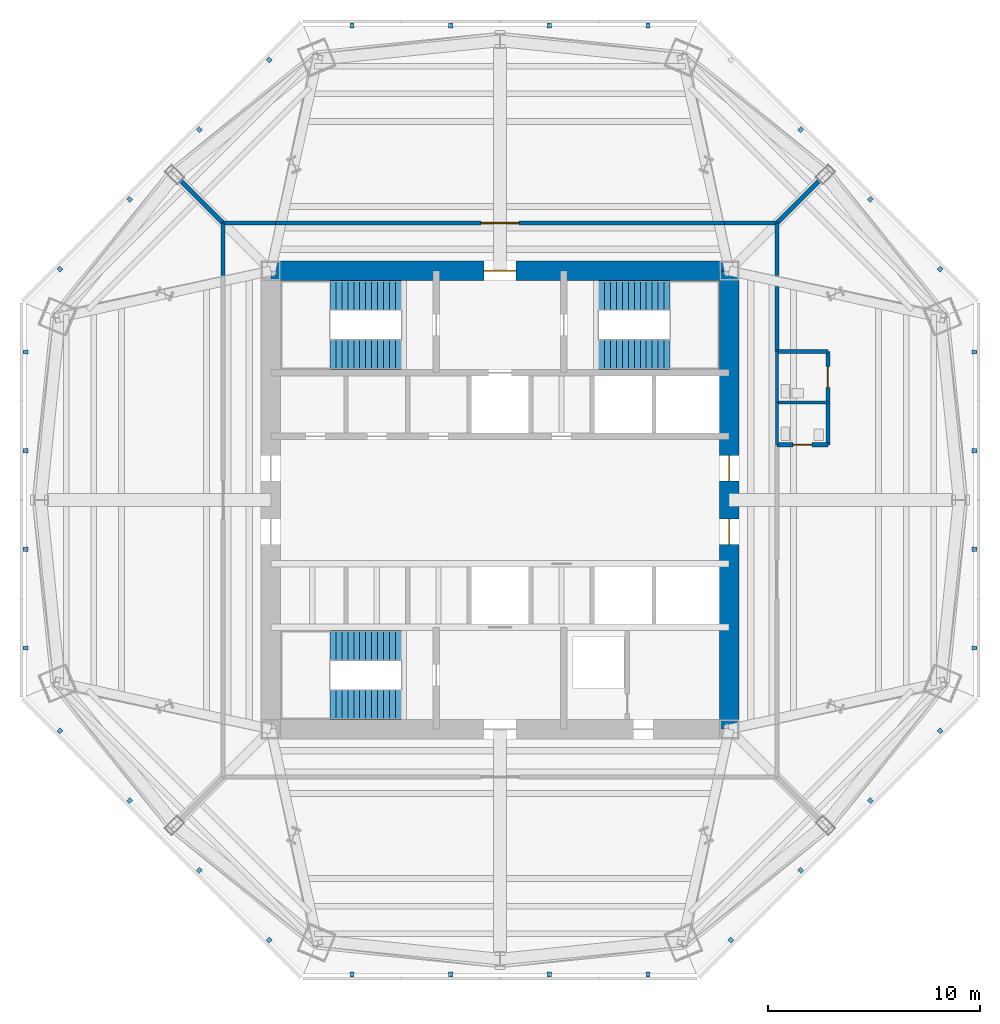
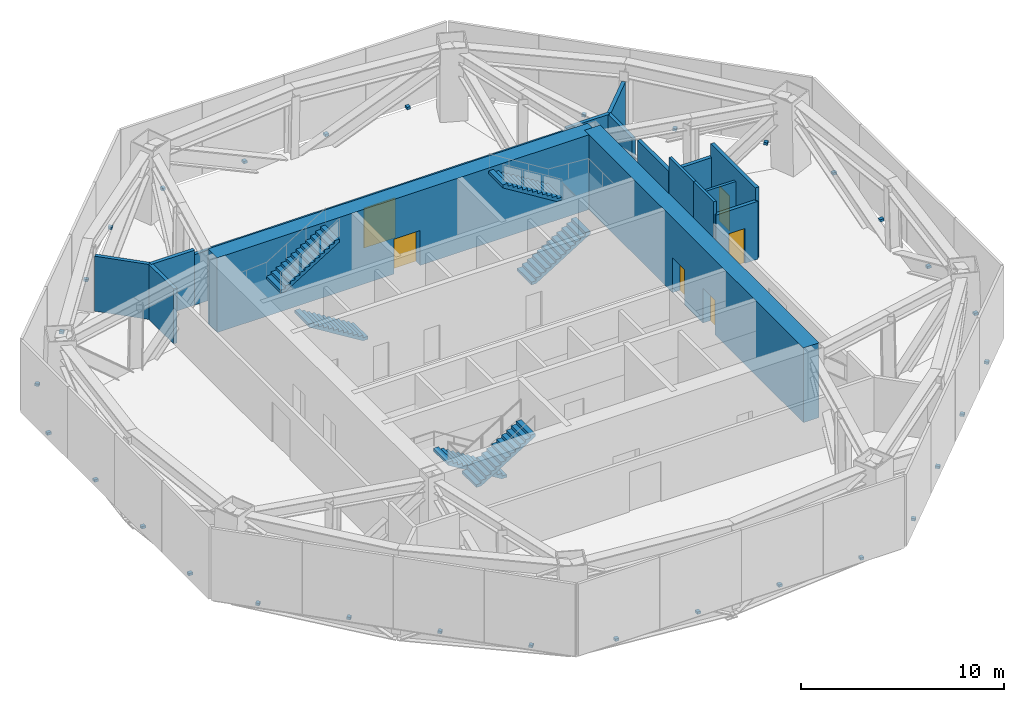
# One storey, part 6 of 10: 31 discrete accessories, 16 walls, 6 doors, 6 stair flights, 6 openings, 3 elements without a shape of their own.
"""IFC4 building model written with IfcOpenShell, lengths in metres."""

from ifc_helpers import new_model, si_unit, direction, frame, frame_2d, origin, origin_2d, place, context, subcontext, project, spatial, polyline, rectangle, outline, extrude, source, transform, mapped, material, layer, layer_set, type_object, type_shapes, element, fill, aggregate, save


model = new_model("IFC4")

# Units and contexts
model_context = context("Model", 3, precision=1e-05, world=origin(), true_north=direction((0.0, 1.0)))
body_context = subcontext(model_context, "Body", "Model", "MODEL_VIEW")
ifc_project = project(units=[si_unit("LENGTHUNIT", "METRE"), si_unit("AREAUNIT", "SQUARE_METRE"), si_unit("VOLUMEUNIT", "CUBIC_METRE"), si_unit("PLANEANGLEUNIT", "RADIAN"), si_unit("MASSUNIT", "GRAM", prefix="KILO")], contexts=[model_context])

# Site, building, storey
site_placement = place(None, origin())
site = spatial("IfcSite", under=ifc_project, at=site_placement, CompositionType="ELEMENT")
building_placement = place(site_placement, origin())
building = spatial("IfcBuilding", under=site, at=building_placement, Name="Mashrafa Tower", CompositionType="ELEMENT")
storey_placement = place(building_placement, frame((0.0, 0.0, 193.5)))
storey = spatial("IfcBuildingStorey", under=building, at=storey_placement, Name="L44", CompositionType="ELEMENT", Elevation=193.5)

# Walls
ifc_material_1 = material(Name="Concrete masonry unit", Category="masonry")
ifc_layer_1 = layer(ifc_material_1, 0.199951171875)
ifc_layer_set_1 = layer_set([ifc_layer_1], Name="Blockwork wall 200 2 hr")
wall_type_1 = type_object("IfcWallType", Name="Blockwork wall 200 2 hr", PredefinedType="PARTITIONING", material=ifc_layer_set_1)
wall_1_placement = place(storey_placement, frame((13.050048828125, 6.9990234375, 0.0), z_axis=(0.0, 0.0, 1.0), x_axis=(0.0, 1.0, 0.0)))
element("IfcWall", 1, at=wall_1_placement, inside=storey, type_object=wall_type_1, Name="Blockwork wall L44-005", PredefinedType="PARTITIONING", context=body_context, shape_type="SweptSolid", body=[
    extrude(rectangle(XDim=3.060302734375, YDim=0.199951171875, at=frame_2d((1.5302734375, 0.0))), origin(), (0.0, 0.0, 1.0), 3.43994140625),
])
wall_2_placement = place(storey_placement, frame((13.050048828125, 10.580810546875, 0.0), z_axis=(0.0, 0.0, 1.0), x_axis=(0.0, 1.0, 0.0)))
element("IfcWall", 2, at=wall_2_placement, inside=storey, type_object=wall_type_1, Name="Blockwork wall L44-006", PredefinedType="PARTITIONING", context=body_context, shape_type="SweptSolid", body=[
    extrude(rectangle(XDim=2.46923828125, YDim=0.199951171875, at=frame_2d((1.234619140625, 0.0))), origin(), (0.0, 0.0, 1.0), 3.22900390625),
])
wall_3_placement = place(storey_placement, frame((-13.050048828125, 13.050048828125, 0.0), z_axis=(0.0, 0.0, 1.0), x_axis=(0.0, -1.0, 0.0)))
element("IfcWall", 3, at=wall_3_placement, inside=storey, type_object=wall_type_1, Name="Blockwork wall L44-007", PredefinedType="PARTITIONING", context=body_context, shape_type="SweptSolid", body=[
    extrude(rectangle(XDim=2.46923828125, YDim=0.199951171875, at=frame_2d((1.234619140625, 0.0))), origin(), (0.0, 0.0, 1.0), 3.31298828125),
])
wall_4_placement = place(storey_placement, frame((13.050048828125, 13.050048828125, 0.0), z_axis=(0.0, 0.0, 1.0), x_axis=(-1.0, 0.0, 0.0)))
element("IfcWall", 4, at=wall_4_placement, inside=storey, type_object=wall_type_1, Name="Blockwork wall L44-010", PredefinedType="PARTITIONING", context=body_context, shape_type="SweptSolid", body=[
    extrude(rectangle(XDim=2.46923828125, YDim=0.199951171875, at=frame_2d((1.234619140625, 0.0))), origin(), (0.0, 0.0, 1.0), 3.22900390625),
])

# Wall, opening, door
wall_5_placement = place(storey_placement, frame((10.578857421875, 13.050048828125, 0.0), z_axis=(0.0, 0.0, 1.0), x_axis=(-1.0, 0.0, 0.0)))
wall_5 = element("IfcWall", 5, at=wall_5_placement, inside=storey, type_object=wall_type_1, Name="Blockwork wall L44-011", PredefinedType="PARTITIONING", context=body_context, shape_type="SweptSolid", body=[
    extrude(rectangle(XDim=21.15771484375, YDim=0.199951171875, at=frame_2d((10.578857421875, 0.0))), origin(), (0.0, 0.0, 1.0), 3.0400390625),
])
opening_1_placement = place(wall_5_placement, frame((9.678955078125, 0.0, 0.0)))
opening_1 = element("IfcOpeningElement", 6, at=opening_1_placement, cuts=wall_5, Name="Opening 44.005", PredefinedType="OPENING", context=body_context, shape_type="SweptSolid", body=[
    extrude(rectangle(XDim=1.800048828125, YDim=2.39990234375, at=frame_2d((0.89990234375, 1.199951171875))), frame((0.0, 0.10986328125, 0.0), z_axis=(0.0, -1.0, 0.0), x_axis=(1.0, 0.0, 0.0)), (0.0, 0.0, 1.0), 0.219970703125),
])
ifc_material_2 = material(Name="Steel door", Category="steel")
door_type_1 = type_object("IfcDoorType", Name="Door pair 1800 x 2400 90 min", OperationType="DOUBLE_DOOR_SINGLE_SWING", PredefinedType="DOOR", material=ifc_material_2)
door_1_placement = place(opening_1_placement, frame((1.800048828125, 0.0, 0.0), z_axis=(0.0, 0.0, 1.0), x_axis=(-1.0, 0.0, 0.0)))
door_1 = element("IfcDoor", 7, at=door_1_placement, inside=storey, type_object=door_type_1, Name="Electrical Plant Room L44 door", OperationType="DOUBLE_DOOR_SINGLE_SWING", OverallHeight=2.39990234375, OverallWidth=1.800048828125, PredefinedType="DOOR", context=body_context, shape_type="SweptSolid", body=[
    extrude(rectangle(XDim=1.800048828125, YDim=2.39990234375, at=frame_2d((0.89990234375, 1.199951171875))), frame((0.0, 0.02490234375, 0.0), z_axis=(0.0, -1.0, 0.0), x_axis=(1.0, 0.0, 0.0)), (0.0, 0.0, 1.0), 0.050048828125),
])
fill(opening_1, door_1)

# Wall
wall_6_placement = place(storey_placement, frame((-10.580810546875, 13.050048828125, 0.0), z_axis=(0.0, 0.0, 1.0), x_axis=(-1.0, 0.0, 0.0)))
element("IfcWall", 8, at=wall_6_placement, inside=storey, type_object=wall_type_1, Name="Blockwork wall L44-012", PredefinedType="PARTITIONING", context=body_context, shape_type="SweptSolid", body=[
    extrude(rectangle(XDim=2.46923828125, YDim=0.199951171875, at=frame_2d((1.234619140625, 0.0))), origin(), (0.0, 0.0, 1.0), 3.31298828125),
])

# Wall, opening, door
wall_7_placement = place(storey_placement, frame((13.050048828125, 2.60009765625, 0.0), z_axis=(0.0, 0.0, 1.0), x_axis=(1.0, 0.0, 0.0)))
wall_7 = element("IfcWall", 9, at=wall_7_placement, inside=storey, type_object=wall_type_1, Name="Blockwork wall L44-017", PredefinedType="PARTITIONING", context=body_context, shape_type="SweptSolid", body=[
    extrude(rectangle(XDim=2.39990234375, YDim=0.199951171875, at=frame_2d((1.199951171875, 0.0))), origin(), (0.0, 0.0, 1.0), 3.47802734375),
])
opening_2_placement = place(wall_7_placement, frame((0.75, 0.0, 0.0)))
opening_2 = element("IfcOpeningElement", 10, at=opening_2_placement, cuts=wall_7, Name="Opening 44.001", PredefinedType="OPENING", context=body_context, shape_type="SweptSolid", body=[
    extrude(rectangle(XDim=0.89990234375, YDim=2.10009765625, at=frame_2d((0.449951171875, 1.050048828125))), frame((0.0, 0.10986328125, 0.0), z_axis=(0.0, -1.0, 0.0), x_axis=(1.0, 0.0, 0.0)), (0.0, 0.0, 1.0), 0.219970703125),
])
ifc_material_3 = material(Name="Timber door", Category="wood")
door_type_2 = type_object("IfcDoorType", Name="Toilet door 900 x 2100", OperationType="USERDEFINED", PredefinedType="DOOR", material=ifc_material_3)
door_2_placement = place(opening_2_placement, origin())
door_2 = element("IfcDoor", 11, at=door_2_placement, inside=storey, type_object=door_type_2, Name="Refuge WC L44 door", OperationType="SINGLE_SWING_RIGHT", OverallHeight=2.10009765625, OverallWidth=0.89990234375, PredefinedType="DOOR", context=body_context, shape_type="SweptSolid", body=[
    extrude(rectangle(XDim=0.89990234375, YDim=2.10009765625, at=frame_2d((0.449951171875, 1.050048828125))), frame((0.0, 0.02490234375, 0.0), z_axis=(0.0, -1.0, 0.0), x_axis=(1.0, 0.0, 0.0)), (0.0, 0.0, 1.0), 0.050048828125),
])
fill(opening_2, door_2)

wall_8_placement = place(storey_placement, frame((15.449951171875, 2.60009765625, 0.0), z_axis=(0.0, 0.0, 1.0), x_axis=(0.0, 1.0, 0.0)))
wall_8 = element("IfcWall", 12, at=wall_8_placement, inside=storey, type_object=wall_type_1, Name="Blockwork wall L44-018", PredefinedType="PARTITIONING", context=body_context, shape_type="SweptSolid", body=[
    extrude(rectangle(XDim=4.39990234375, YDim=0.199951171875, at=frame_2d((2.199951171875, 0.0))), origin(), (0.0, 0.0, 1.0), 4.25),
])
opening_3_placement = place(wall_8_placement, frame((2.699951171875, 0.0, 0.0)))
opening_3 = element("IfcOpeningElement", 13, at=opening_3_placement, cuts=wall_8, Name="Opening 44.002", PredefinedType="OPENING", context=body_context, shape_type="SweptSolid", body=[
    extrude(rectangle(XDim=1.0, YDim=2.10009765625, at=frame_2d((0.5, 1.050048828125))), frame((0.0, 0.10986328125, 0.0), z_axis=(0.0, -1.0, 0.0), x_axis=(1.0, 0.0, 0.0)), (0.0, 0.0, 1.0), 0.219970703125),
])
ifc_material_4 = material(Name="Timber door", Category="wood")
door_type_3 = type_object("IfcDoorType", Name="Accessible toilet door 1000 x 2100", OperationType="USERDEFINED", PredefinedType="DOOR", material=ifc_material_4)
door_3_placement = place(opening_3_placement, origin())
door_3 = element("IfcDoor", 14, at=door_3_placement, inside=storey, type_object=door_type_3, Name="Refuge Accessible WC L44 door", OperationType="SINGLE_SWING_LEFT", OverallHeight=2.10009765625, OverallWidth=1.0, PredefinedType="DOOR", context=body_context, shape_type="SweptSolid", body=[
    extrude(rectangle(XDim=1.0, YDim=2.10009765625, at=frame_2d((0.5, 1.050048828125))), frame((0.0, 0.02490234375, 0.0), z_axis=(0.0, -1.0, 0.0), x_axis=(1.0, 0.0, 0.0)), (0.0, 0.0, 1.0), 0.050048828125),
])
fill(opening_3, door_3)

# Walls
wall_9_placement = place(storey_placement, frame((15.449951171875, 7.0, 0.0), z_axis=(0.0, 0.0, 1.0), x_axis=(-1.0, 0.0, 0.0)))
element("IfcWall", 15, at=wall_9_placement, inside=storey, type_object=wall_type_1, Name="Blockwork wall L44-020", PredefinedType="PARTITIONING", context=body_context, shape_type="SweptSolid", body=[
    extrude(rectangle(XDim=2.39990234375, YDim=0.199951171875, at=frame_2d((1.199951171875, 0.0))), origin(), (0.0, 0.0, 1.0), 3.47802734375),
])
wall_10_placement = place(storey_placement, frame((15.0361328125, 15.0361328125, 0.0), z_axis=(0.0, 0.0, 1.0), x_axis=(-0.707106781187, -0.707106781187, 0.0)))
element("IfcWall", 16, at=wall_10_placement, inside=storey, type_object=wall_type_1, Name="Blockwork wall L44-021", PredefinedType="PARTITIONING", context=body_context, shape_type="SweptSolid", body=[
    extrude(rectangle(XDim=2.808837890625, YDim=0.199951171875, at=frame_2d((1.404296875, 0.0))), origin(), (0.0, 0.0, 1.0), 3.22900390625),
])
wall_11_placement = place(storey_placement, frame((-13.050048828125, 13.050048828125, 0.0), z_axis=(0.0, 0.0, 1.0), x_axis=(-0.707106781187, 0.707106781187, 0.0)))
element("IfcWall", 17, at=wall_11_placement, inside=storey, type_object=wall_type_1, Name="Blockwork wall L44-023", PredefinedType="PARTITIONING", context=body_context, shape_type="SweptSolid", body=[
    extrude(rectangle(XDim=2.808837890625, YDim=0.199951171875, at=frame_2d((1.404296875, 0.0))), origin(), (0.0, 0.0, 1.0), 3.31298828125),
])

# Wall, openings, doors
ifc_material_5 = material(Name="Concrete C60/75", Category="concrete")
ifc_layer_2 = layer(ifc_material_5, 0.89990234375)
ifc_layer_set_2 = layer_set([ifc_layer_2], Name="Core wall 900 C60/75")
wall_type_2 = type_object("IfcWallType", Name="Core wall 900 C60/75", PredefinedType="SOLIDWALL", material=ifc_layer_set_2)
wall_12_placement = place(storey_placement, frame((10.800048828125, -10.800048828125, 0.0), z_axis=(0.0, 0.0, 1.0), x_axis=(0.0, 1.0, 0.0)))
wall_12 = element("IfcWall", 18, at=wall_12_placement, inside=storey, type_object=wall_type_2, Name="Core wall CW-E L44", PredefinedType="SOLIDWALL", context=body_context, shape_type="SweptSolid", body=[
    extrude(rectangle(XDim=21.60009765625, YDim=0.89990234375, at=frame_2d((10.800048828125, 0.0))), origin(), (0.0, 0.0, 1.0), 4.5),
])
opening_4_placement = place(wall_12_placement, frame((11.699951171875, 0.0, 0.0)))
opening_4 = element("IfcOpeningElement", 19, at=opening_4_placement, cuts=wall_12, Name="Opening 44.007", PredefinedType="OPENING", context=body_context, shape_type="SweptSolid", body=[
    extrude(rectangle(XDim=1.199951171875, YDim=2.10009765625, at=frame_2d((0.60009765625, 1.050048828125))), frame((0.0, 0.4599609375, 0.0), z_axis=(0.0, -1.0, 0.0), x_axis=(1.0, 0.0, 0.0)), (0.0, 0.0, 1.0), 0.919921875),
])
opening_5_placement = place(wall_12_placement, frame((8.699951171875, 0.0, 0.0)))
opening_5 = element("IfcOpeningElement", 20, at=opening_5_placement, cuts=wall_12, Name="Opening 44.009", PredefinedType="OPENING", context=body_context, shape_type="SweptSolid", body=[
    extrude(rectangle(XDim=1.199951171875, YDim=2.10009765625, at=frame_2d((0.60009765625, 1.050048828125))), frame((0.0, 0.4599609375, 0.0), z_axis=(0.0, -1.0, 0.0), x_axis=(1.0, 0.0, 0.0)), (0.0, 0.0, 1.0), 0.919921875),
])
ifc_material_6 = material(Name="Steel door", Category="steel")
door_type_4 = type_object("IfcDoorType", Name="Lift hall door 1200 x 2100 90 min", OperationType="USERDEFINED", PredefinedType="DOOR", material=ifc_material_6)
door_4_placement = place(opening_4_placement, frame((1.199951171875, 0.0, 0.0), z_axis=(0.0, 0.0, 1.0), x_axis=(-1.0, 0.0, 0.0)))
door_4 = element("IfcDoor", 21, at=door_4_placement, inside=storey, type_object=door_type_4, Name="Lift hall door east L44", OperationType="SINGLE_SWING_LEFT", OverallHeight=2.10009765625, OverallWidth=1.199951171875, PredefinedType="DOOR", context=body_context, shape_type="SweptSolid", body=[
    extrude(rectangle(XDim=1.199951171875, YDim=2.10009765625, at=frame_2d((0.60009765625, 1.050048828125))), frame((0.0, 0.02490234375, 0.0), z_axis=(0.0, -1.0, 0.0), x_axis=(1.0, 0.0, 0.0)), (0.0, 0.0, 1.0), 0.050048828125),
])
fill(opening_4, door_4)
door_5_placement = place(opening_5_placement, frame((1.199951171875, 0.0, 0.0), z_axis=(0.0, 0.0, 1.0), x_axis=(-1.0, 0.0, 0.0)))
door_5 = element("IfcDoor", 22, at=door_5_placement, inside=storey, type_object=door_type_4, Name="Lift hall door east L44", OperationType="SINGLE_SWING_RIGHT", OverallHeight=2.10009765625, OverallWidth=1.199951171875, PredefinedType="DOOR", context=body_context, shape_type="SweptSolid", body=[
    extrude(rectangle(XDim=1.199951171875, YDim=2.10009765625, at=frame_2d((0.60009765625, 1.050048828125))), frame((0.0, 0.02490234375, 0.0), z_axis=(0.0, -1.0, 0.0), x_axis=(1.0, 0.0, 0.0)), (0.0, 0.0, 1.0), 0.050048828125),
])
fill(opening_5, door_5)

# Wall, opening, door
wall_13_placement = place(storey_placement, frame((10.800048828125, 10.800048828125, 0.0), z_axis=(0.0, 0.0, 1.0), x_axis=(-1.0, 0.0, 0.0)))
wall_13 = element("IfcWall", 23, at=wall_13_placement, inside=storey, type_object=wall_type_2, Name="Core wall CW-N L44", PredefinedType="SOLIDWALL", context=body_context, shape_type="SweptSolid", body=[
    extrude(rectangle(XDim=21.60009765625, YDim=0.89990234375, at=frame_2d((10.800048828125, 0.0))), origin(), (0.0, 0.0, 1.0), 4.5),
])
opening_6_placement = place(wall_13_placement, frame((10.050048828125, 0.0, 0.0)))
opening_6 = element("IfcOpeningElement", 24, at=opening_6_placement, cuts=wall_13, Name="Opening 44.011", PredefinedType="OPENING", context=body_context, shape_type="SweptSolid", body=[
    extrude(rectangle(XDim=1.5, YDim=2.10009765625, at=frame_2d((0.75, 1.050048828125))), frame((0.0, 0.4599609375, 0.0), z_axis=(0.0, -1.0, 0.0), x_axis=(1.0, 0.0, 0.0)), (0.0, 0.0, 1.0), 0.919921875),
])
ifc_material_7 = material(Name="Steel door", Category="steel")
door_type_5 = type_object("IfcDoorType", Name="Lobby door pair 1500 x 2100 90 min", OperationType="DOUBLE_DOOR_SINGLE_SWING", PredefinedType="DOOR", material=ifc_material_7)
door_6_placement = place(opening_6_placement, origin())
door_6 = element("IfcDoor", 25, at=door_6_placement, inside=storey, type_object=door_type_5, Name="Fire-fighting lobby F1 door L44", OperationType="DOUBLE_DOOR_SINGLE_SWING", OverallHeight=2.10009765625, OverallWidth=1.5, PredefinedType="DOOR", context=body_context, shape_type="SweptSolid", body=[
    extrude(rectangle(XDim=1.5, YDim=2.10009765625, at=frame_2d((0.75, 1.050048828125))), frame((0.0, 0.02490234375, 0.0), z_axis=(0.0, -1.0, 0.0), x_axis=(1.0, 0.0, 0.0)), (0.0, 0.0, 1.0), 0.050048828125),
])
fill(opening_6, door_6)

# Walls
ifc_material_8 = material(Name="Gypsum board on steel studs", Category="steel")
ifc_layer_3 = layer(ifc_material_8, 0.14990234375)
ifc_layer_set_3 = layer_set([ifc_layer_3], Name="Corridor partition 150 1 hr")
wall_type_3 = type_object("IfcWallType", Name="Corridor partition 150 1 hr", PredefinedType="PARTITIONING", material=ifc_layer_set_3)
wall_14_placement = place(storey_placement, frame((13.050048828125, 2.59912109375, 0.0), z_axis=(0.0, 0.0, 1.0), x_axis=(0.0, 1.0, 0.0)))
element("IfcWall", 26, at=wall_14_placement, inside=storey, type_object=wall_type_3, Name="Corridor wall L44-001", PredefinedType="PARTITIONING", context=body_context, shape_type="SweptSolid", body=[
    extrude(rectangle(XDim=2.001953125, YDim=0.14990234375, at=frame_2d((1.0009765625, 0.0))), origin(), (0.0, 0.0, 1.0), 4.25),
])
wall_15_placement = place(storey_placement, frame((13.050048828125, 4.59912109375, 0.0), z_axis=(0.0, 0.0, 1.0), x_axis=(0.0, 1.0, 0.0)))
element("IfcWall", 27, at=wall_15_placement, inside=storey, type_object=wall_type_3, Name="Corridor wall L44-002", PredefinedType="PARTITIONING", context=body_context, shape_type="SweptSolid", body=[
    extrude(rectangle(XDim=2.40185546875, YDim=0.14990234375, at=frame_2d((1.200927734375, 0.0))), origin(), (0.0, 0.0, 1.0), 4.25),
])
ifc_material_9 = material(Name="Gypsum board on steel studs", Category="steel")
ifc_layer_4 = layer(ifc_material_9, 0.14990234375)
ifc_layer_set_4 = layer_set([ifc_layer_4], Name="Partition 150")
wall_type_4 = type_object("IfcWallType", Name="Partition 150", PredefinedType="PARTITIONING", material=ifc_layer_set_4)
wall_16_placement = place(storey_placement, frame((15.449951171875, 4.60009765625, 0.0), z_axis=(0.0, 0.0, 1.0), x_axis=(-1.0, 0.0, 0.0)))
element("IfcWall", 28, at=wall_16_placement, inside=storey, type_object=wall_type_4, Name="Partition wall L44-016", PredefinedType="PARTITIONING", context=body_context, shape_type="SweptSolid", body=[
    extrude(rectangle(XDim=2.39990234375, YDim=0.14990234375, at=frame_2d((1.199951171875, 0.0))), origin(), (0.0, 0.0, 1.0), 3.47802734375),
])

# Stair, stair flights
ifc_material_10 = material(Name="Exit stair 1400")
stair_type = type_object("IfcStairType", Name="Exit stair 1400", PredefinedType="HALF_TURN_STAIR", material=ifc_material_10)
stair_1_placement = place(storey_placement, origin())
stair_1 = element("IfcStair", 29, at=stair_1_placement, inside=storey, type_object=stair_type, Name="Stair S1 L44", PredefinedType="HALF_TURN_STAIR")
ifc_material_11 = material(Name="Concrete C32/40", Category="concrete")
stair_flight_type = type_object("IfcStairFlightType", Name="Stair flight 1400", PredefinedType="STRAIGHT", material=ifc_material_11)
stair_flight_1_placement = place(storey_placement, frame((-4.64990234375, 6.85009765625, 0.0), z_axis=(0.0, 0.0, 1.0), x_axis=(-1.0, 0.0, 0.0)))
stair_flight_1 = element("IfcStairFlight", 30, at=stair_flight_1_placement, type_object=stair_flight_type, Name="S1 flight 1", NumberOfRisers=13, NumberOfTreads=12, PredefinedType="STRAIGHT", RiserHeight=0.173076923, TreadLength=0.28, context=body_context, shape_type="SweptSolid", body=[
    extrude(outline(polyline([(0.0, 0.0), (0.0, 0.173095703125), (0.280029296875, 0.173095703125), (0.280029296875, 0.34619140625), (0.56005859375, 0.34619140625), (0.56005859375, 0.519287109375), (0.840087890625, 0.519287109375), (0.840087890625, 0.6923828125), (1.1201171875, 0.6923828125), (1.1201171875, 0.865478515625), (1.39990234375, 0.865478515625), (1.39990234375, 1.03857421875), (1.679931640625, 1.03857421875), (1.679931640625, 1.21142578125), (1.9599609375, 1.21142578125), (1.9599609375, 1.384521484375), (2.239990234375, 1.384521484375), (2.239990234375, 1.5576171875), (2.52001953125, 1.5576171875), (2.52001953125, 1.730712890625), (2.800048828125, 1.730712890625), (2.800048828125, 1.90380859375), (3.080078125, 1.90380859375), (3.080078125, 2.076904296875), (3.360107421875, 2.076904296875), (3.360107421875, 2.25), (3.360107421875, 1.900634765625), (0.28515625, 0.0), (0.0, 0.0)])), frame((0.0, 0.699951171875, 0.0), z_axis=(0.0, -1.0, 0.0), x_axis=(1.0, 0.0, 0.0)), (0.0, 0.0, 1.0), 1.39990234375),
])
stair_flight_2_placement = place(storey_placement, frame((-8.010009765625, 9.64990234375, 2.25), z_axis=(0.0, 0.0, 1.0), x_axis=(1.0, 0.0, 0.0)))
stair_flight_2 = element("IfcStairFlight", 31, at=stair_flight_2_placement, type_object=stair_flight_type, Name="S1 flight 2", NumberOfRisers=13, NumberOfTreads=12, PredefinedType="STRAIGHT", RiserHeight=0.173076923, TreadLength=0.28, context=body_context, shape_type="SweptSolid", body=[
    extrude(outline(polyline([(0.0, 0.0), (0.0, 0.173095703125), (0.280029296875, 0.173095703125), (0.280029296875, 0.34619140625), (0.56005859375, 0.34619140625), (0.56005859375, 0.519287109375), (0.840087890625, 0.519287109375), (0.840087890625, 0.6923828125), (1.1201171875, 0.6923828125), (1.1201171875, 0.865478515625), (1.39990234375, 0.865478515625), (1.39990234375, 1.03857421875), (1.679931640625, 1.03857421875), (1.679931640625, 1.21142578125), (1.9599609375, 1.21142578125), (1.9599609375, 1.384521484375), (2.239990234375, 1.384521484375), (2.239990234375, 1.5576171875), (2.52001953125, 1.5576171875), (2.52001953125, 1.730712890625), (2.800048828125, 1.730712890625), (2.800048828125, 1.90380859375), (3.080078125, 1.90380859375), (3.080078125, 2.076904296875), (3.360107421875, 2.076904296875), (3.360107421875, 2.25), (3.360107421875, 1.900634765625), (0.28515625, 0.0), (0.0, 0.0)])), frame((0.0, 0.699951171875, 0.0), z_axis=(0.0, -1.0, 0.0), x_axis=(1.0, 0.0, 0.0)), (0.0, 0.0, 1.0), 1.39990234375),
])
aggregate(stair_1, [stair_flight_1, stair_flight_2])

stair_2_placement = place(storey_placement, origin())
stair_2 = element("IfcStair", 32, at=stair_2_placement, inside=storey, type_object=stair_type, Name="Stair S2 L44", PredefinedType="HALF_TURN_STAIR")
stair_flight_3_placement = place(storey_placement, frame((4.64990234375, 6.85009765625, 0.0), z_axis=(0.0, 0.0, 1.0), x_axis=(1.0, 0.0, 0.0)))
stair_flight_3 = element("IfcStairFlight", 33, at=stair_flight_3_placement, type_object=stair_flight_type, Name="S2 flight 1", NumberOfRisers=13, NumberOfTreads=12, PredefinedType="STRAIGHT", RiserHeight=0.173076923, TreadLength=0.28, context=body_context, shape_type="SweptSolid", body=[
    extrude(outline(polyline([(0.0, 0.0), (0.0, 0.173095703125), (0.280029296875, 0.173095703125), (0.280029296875, 0.34619140625), (0.56005859375, 0.34619140625), (0.56005859375, 0.519287109375), (0.840087890625, 0.519287109375), (0.840087890625, 0.6923828125), (1.1201171875, 0.6923828125), (1.1201171875, 0.865478515625), (1.39990234375, 0.865478515625), (1.39990234375, 1.03857421875), (1.679931640625, 1.03857421875), (1.679931640625, 1.21142578125), (1.9599609375, 1.21142578125), (1.9599609375, 1.384521484375), (2.239990234375, 1.384521484375), (2.239990234375, 1.5576171875), (2.52001953125, 1.5576171875), (2.52001953125, 1.730712890625), (2.800048828125, 1.730712890625), (2.800048828125, 1.90380859375), (3.080078125, 1.90380859375), (3.080078125, 2.076904296875), (3.360107421875, 2.076904296875), (3.360107421875, 2.25), (3.360107421875, 1.900634765625), (0.28515625, 0.0), (0.0, 0.0)])), frame((0.0, 0.699951171875, 0.0), z_axis=(0.0, -1.0, 0.0), x_axis=(1.0, 0.0, 0.0)), (0.0, 0.0, 1.0), 1.39990234375),
])
stair_flight_4_placement = place(storey_placement, frame((8.010009765625, 9.64990234375, 2.25), z_axis=(0.0, 0.0, 1.0), x_axis=(-1.0, 0.0, 0.0)))
stair_flight_4 = element("IfcStairFlight", 34, at=stair_flight_4_placement, type_object=stair_flight_type, Name="S2 flight 2", NumberOfRisers=13, NumberOfTreads=12, PredefinedType="STRAIGHT", RiserHeight=0.173076923, TreadLength=0.28, context=body_context, shape_type="SweptSolid", body=[
    extrude(outline(polyline([(0.0, 0.0), (0.0, 0.173095703125), (0.280029296875, 0.173095703125), (0.280029296875, 0.34619140625), (0.56005859375, 0.34619140625), (0.56005859375, 0.519287109375), (0.840087890625, 0.519287109375), (0.840087890625, 0.6923828125), (1.1201171875, 0.6923828125), (1.1201171875, 0.865478515625), (1.39990234375, 0.865478515625), (1.39990234375, 1.03857421875), (1.679931640625, 1.03857421875), (1.679931640625, 1.21142578125), (1.9599609375, 1.21142578125), (1.9599609375, 1.384521484375), (2.239990234375, 1.384521484375), (2.239990234375, 1.5576171875), (2.52001953125, 1.5576171875), (2.52001953125, 1.730712890625), (2.800048828125, 1.730712890625), (2.800048828125, 1.90380859375), (3.080078125, 1.90380859375), (3.080078125, 2.076904296875), (3.360107421875, 2.076904296875), (3.360107421875, 2.25), (3.360107421875, 1.900634765625), (0.28515625, 0.0), (0.0, 0.0)])), frame((0.0, 0.699951171875, 0.0), z_axis=(0.0, -1.0, 0.0), x_axis=(1.0, 0.0, 0.0)), (0.0, 0.0, 1.0), 1.39990234375),
])
aggregate(stair_2, [stair_flight_3, stair_flight_4])

stair_3_placement = place(storey_placement, origin())
stair_3 = element("IfcStair", 35, at=stair_3_placement, inside=storey, type_object=stair_type, Name="Stair S3 L44", PredefinedType="HALF_TURN_STAIR")
stair_flight_5_placement = place(storey_placement, frame((-4.64990234375, -6.85009765625, 0.0), z_axis=(0.0, 0.0, 1.0), x_axis=(-1.0, 0.0, 0.0)))
stair_flight_5 = element("IfcStairFlight", 36, at=stair_flight_5_placement, type_object=stair_flight_type, Name="S3 flight 1", NumberOfRisers=13, NumberOfTreads=12, PredefinedType="STRAIGHT", RiserHeight=0.173076923, TreadLength=0.28, context=body_context, shape_type="SweptSolid", body=[
    extrude(outline(polyline([(0.0, 0.0), (0.0, 0.173095703125), (0.280029296875, 0.173095703125), (0.280029296875, 0.34619140625), (0.56005859375, 0.34619140625), (0.56005859375, 0.519287109375), (0.840087890625, 0.519287109375), (0.840087890625, 0.6923828125), (1.1201171875, 0.6923828125), (1.1201171875, 0.865478515625), (1.39990234375, 0.865478515625), (1.39990234375, 1.03857421875), (1.679931640625, 1.03857421875), (1.679931640625, 1.21142578125), (1.9599609375, 1.21142578125), (1.9599609375, 1.384521484375), (2.239990234375, 1.384521484375), (2.239990234375, 1.5576171875), (2.52001953125, 1.5576171875), (2.52001953125, 1.730712890625), (2.800048828125, 1.730712890625), (2.800048828125, 1.90380859375), (3.080078125, 1.90380859375), (3.080078125, 2.076904296875), (3.360107421875, 2.076904296875), (3.360107421875, 2.25), (3.360107421875, 1.900634765625), (0.28515625, 0.0), (0.0, 0.0)])), frame((0.0, 0.699951171875, 0.0), z_axis=(0.0, -1.0, 0.0), x_axis=(1.0, 0.0, 0.0)), (0.0, 0.0, 1.0), 1.39990234375),
])
stair_flight_6_placement = place(storey_placement, frame((-8.010009765625, -9.64990234375, 2.25), z_axis=(0.0, 0.0, 1.0), x_axis=(1.0, 0.0, 0.0)))
stair_flight_6 = element("IfcStairFlight", 37, at=stair_flight_6_placement, type_object=stair_flight_type, Name="S3 flight 2", NumberOfRisers=13, NumberOfTreads=12, PredefinedType="STRAIGHT", RiserHeight=0.173076923, TreadLength=0.28, context=body_context, shape_type="SweptSolid", body=[
    extrude(outline(polyline([(0.0, 0.0), (0.0, 0.173095703125), (0.280029296875, 0.173095703125), (0.280029296875, 0.34619140625), (0.56005859375, 0.34619140625), (0.56005859375, 0.519287109375), (0.840087890625, 0.519287109375), (0.840087890625, 0.6923828125), (1.1201171875, 0.6923828125), (1.1201171875, 0.865478515625), (1.39990234375, 0.865478515625), (1.39990234375, 1.03857421875), (1.679931640625, 1.03857421875), (1.679931640625, 1.21142578125), (1.9599609375, 1.21142578125), (1.9599609375, 1.384521484375), (2.239990234375, 1.384521484375), (2.239990234375, 1.5576171875), (2.52001953125, 1.5576171875), (2.52001953125, 1.730712890625), (2.800048828125, 1.730712890625), (2.800048828125, 1.90380859375), (3.080078125, 1.90380859375), (3.080078125, 2.076904296875), (3.360107421875, 2.076904296875), (3.360107421875, 2.25), (3.360107421875, 1.900634765625), (0.28515625, 0.0), (0.0, 0.0)])), frame((0.0, 0.699951171875, 0.0), z_axis=(0.0, -1.0, 0.0), x_axis=(1.0, 0.0, 0.0)), (0.0, 0.0, 1.0), 1.39990234375),
])
aggregate(stair_3, [stair_flight_5, stair_flight_6])

# Discrete accessories
ifc_material_12 = material(Name="Galvanised steel louvre bracket", Category="steel")
discrete_accessory_type = type_object("IfcDiscreteAccessoryType", Name="Louvre support bracket 200 x 150", PredefinedType="BRACKET", material=ifc_material_12)
shared_shape = source(origin(), body_context, "Body", "SweptSolid", [
    extrude(rectangle(XDim=0.199951171875, YDim=0.22509765625, at=origin_2d()), origin(), (0.0, 0.0, 1.0), 0.14990234375),
])
type_shapes(discrete_accessory_type, [shared_shape])
for number, where, z_axis, x_axis, name in (
    (38, (22.353271484375, -6.9716796875, 0.0), (0.0, 0.0, 1.0), (0.0, 1.0, 0.0), "Louvre support bracket L44 east 1"),
    (39, (22.353271484375, -2.323974609375, 0.0), (0.0, 0.0, 1.0), (0.0, 1.0, 0.0), "Louvre support bracket L44 east 2"),
    (40, (22.353271484375, 2.323974609375, 0.0), (0.0, 0.0, 1.0), (0.0, 1.0, 0.0), "Louvre support bracket L44 east 3"),
    (41, (22.353271484375, 6.9716796875, 0.0), (0.0, 0.0, 1.0), (0.0, 1.0, 0.0), "Louvre support bracket L44 east 4"),
    (42, (20.736083984375, 10.87646484375, 0.0), (0.0, 0.0, 1.0), (-0.707106781187, 0.707106781187, 0.0), "Louvre support bracket L44 north-east 1"),
    (43, (17.449462890625, 14.1630859375, 0.0), (0.0, 0.0, 1.0), (-0.707106781187, 0.707106781187, 0.0), "Louvre support bracket L44 north-east 2"),
    (44, (14.1630859375, 17.449462890625, 0.0), (0.0, 0.0, 1.0), (-0.707106781187, 0.707106781187, 0.0), "Louvre support bracket L44 north-east 3"),
    (45, (6.9716796875, 22.353271484375, 0.0), (0.0, 0.0, 1.0), (-1.0, 0.0, 0.0), "Louvre support bracket L44 north 1"),
    (46, (2.323974609375, 22.353271484375, 0.0), (0.0, 0.0, 1.0), (-1.0, 0.0, 0.0), "Louvre support bracket L44 north 2"),
    (47, (-2.323974609375, 22.353271484375, 0.0), (0.0, 0.0, 1.0), (-1.0, 0.0, 0.0), "Louvre support bracket L44 north 3"),
    (48, (-6.9716796875, 22.353271484375, 0.0), (0.0, 0.0, 1.0), (-1.0, 0.0, 0.0), "Louvre support bracket L44 north 4"),
    (49, (-10.87646484375, 20.736083984375, 0.0), (0.0, 0.0, 1.0), (-0.707106781187, -0.707106781187, 0.0), "Louvre support bracket L44 north-west 1"),
    (50, (-14.1630859375, 17.449462890625, 0.0), (0.0, 0.0, 1.0), (-0.707106781187, -0.707106781187, 0.0), "Louvre support bracket L44 north-west 2"),
    (51, (-17.449462890625, 14.1630859375, 0.0), (0.0, 0.0, 1.0), (-0.707106781187, -0.707106781187, 0.0), "Louvre support bracket L44 north-west 3"),
    (52, (-20.736083984375, 10.87646484375, 0.0), (0.0, 0.0, 1.0), (-0.707106781187, -0.707106781187, 0.0), "Louvre support bracket L44 north-west 4"),
    (53, (-22.353271484375, 6.9716796875, 0.0), (0.0, 0.0, 1.0), (0.0, -1.0, 0.0), "Louvre support bracket L44 west 1"),
    (54, (-22.353271484375, 2.323974609375, 0.0), (0.0, 0.0, 1.0), (0.0, -1.0, 0.0), "Louvre support bracket L44 west 2"),
    (55, (-22.353271484375, -2.323974609375, 0.0), (0.0, 0.0, 1.0), (0.0, -1.0, 0.0), "Louvre support bracket L44 west 3"),
    (56, (-22.353271484375, -6.9716796875, 0.0), (0.0, 0.0, 1.0), (0.0, -1.0, 0.0), "Louvre support bracket L44 west 4"),
    (57, (-20.736083984375, -10.87646484375, 0.0), (0.0, 0.0, 1.0), (0.707106781187, -0.707106781187, 0.0), "Louvre support bracket L44 south-west 1"),
    (58, (-17.449462890625, -14.1630859375, 0.0), (0.0, 0.0, 1.0), (0.707106781187, -0.707106781187, 0.0), "Louvre support bracket L44 south-west 2"),
    (59, (-14.1630859375, -17.449462890625, 0.0), (0.0, 0.0, 1.0), (0.707106781187, -0.707106781187, 0.0), "Louvre support bracket L44 south-west 3"),
    (60, (-10.87646484375, -20.736083984375, 0.0), (0.0, 0.0, 1.0), (0.707106781187, -0.707106781187, 0.0), "Louvre support bracket L44 south-west 4"),
    (61, (-6.9716796875, -22.353271484375, 0.0), (0.0, 0.0, 1.0), (1.0, 0.0, 0.0), "Louvre support bracket L44 south 1"),
    (62, (-2.323974609375, -22.353271484375, 0.0), (0.0, 0.0, 1.0), (1.0, 0.0, 0.0), "Louvre support bracket L44 south 2"),
    (63, (2.323974609375, -22.353271484375, 0.0), (0.0, 0.0, 1.0), (1.0, 0.0, 0.0), "Louvre support bracket L44 south 3"),
    (64, (6.9716796875, -22.353271484375, 0.0), (0.0, 0.0, 1.0), (1.0, 0.0, 0.0), "Louvre support bracket L44 south 4"),
    (65, (10.87646484375, -20.736083984375, 0.0), (0.0, 0.0, 1.0), (0.707106781187, 0.707106781187, 0.0), "Louvre support bracket L44 south-east 1"),
    (66, (14.1630859375, -17.449462890625, 0.0), (0.0, 0.0, 1.0), (0.707106781187, 0.707106781187, 0.0), "Louvre support bracket L44 south-east 2"),
    (67, (17.449462890625, -14.1630859375, 0.0), (0.0, 0.0, 1.0), (0.707106781187, 0.707106781187, 0.0), "Louvre support bracket L44 south-east 3"),
    (68, (20.736083984375, -10.87646484375, 0.0), (0.0, 0.0, 1.0), (0.707106781187, 0.707106781187, 0.0), "Louvre support bracket L44 south-east 4"),
):
    element("IfcDiscreteAccessory", number, at=place(storey_placement, frame(where, z_axis=z_axis, x_axis=x_axis)), inside=storey, type_object=discrete_accessory_type, Name=name, PredefinedType="BRACKET", context=body_context, shape_type="MappedRepresentation", body=[
        mapped(shared_shape, transform((0.0, 0.0, 0.0))),
    ])

save(model, "model.ifc")
